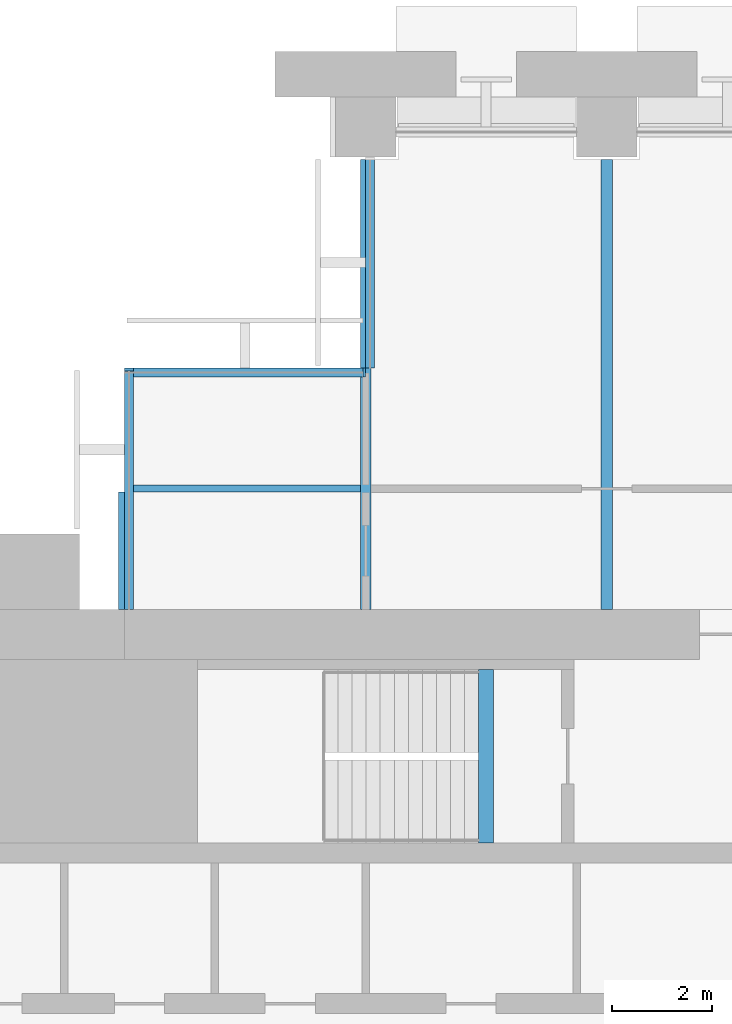
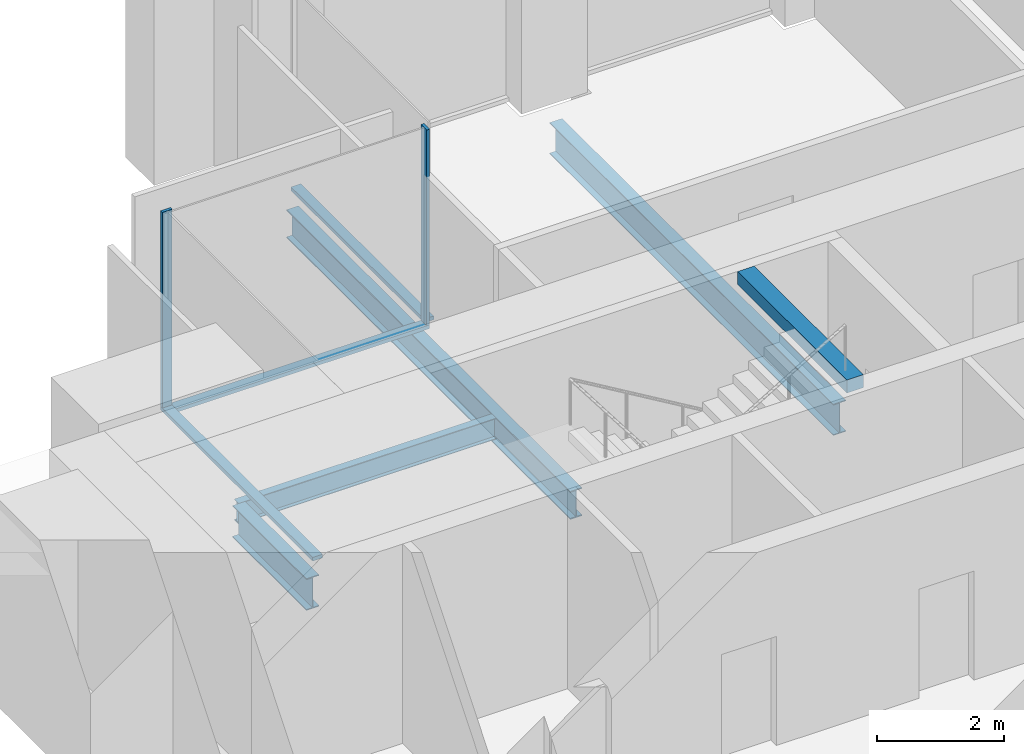
# One storey, part 5 of 15: 5 beams, 5 members, 3 elements without a shape of their own.
"""IFC4 building model written with IfcOpenShell, lengths in metres."""

from ifc_helpers import new_model, si_unit, direction, frame, origin, origin_2d, place, context, subcontext, project, spatial, rectangle, i_section, extrude, material, material_profile, profile_set, type_object, element, aggregate, save


model = new_model("IFC4")

# Units and contexts
model_context = context("Model", 3, precision=1e-05, world=origin(), true_north=direction((0.0, 1.0)))
body_context = subcontext(model_context, "Body", "Model", "MODEL_VIEW")
ifc_project = project(units=[si_unit("LENGTHUNIT", "METRE"), si_unit("AREAUNIT", "SQUARE_METRE"), si_unit("VOLUMEUNIT", "CUBIC_METRE"), si_unit("PLANEANGLEUNIT", "RADIAN"), si_unit("MASSUNIT", "GRAM", prefix="KILO")], contexts=[model_context])

# Site, building, storey
site_placement = place(None, origin())
site = spatial("IfcSite", under=ifc_project, at=site_placement, CompositionType="ELEMENT")
building_placement = place(site_placement, origin())
building = spatial("IfcBuilding", under=site, at=building_placement, Name="Baori Bourse Tower", CompositionType="ELEMENT")
storey_placement = place(building_placement, frame((0.0, 0.0, 104.10009765625)))
storey = spatial("IfcBuildingStorey", under=building, at=storey_placement, Name="L21", CompositionType="ELEMENT", Elevation=104.10009765625)

# Curtain wall, member
ifc_material_1 = material(Name="Pale anodised aluminium", Category="aluminium")
curtain_wall_type = type_object("IfcCurtainWallType", Name="CW2 Curtain wall", PredefinedType="NOTDEFINED", material=ifc_material_1)
curtain_wall_1_placement = place(storey_placement, origin())
curtain_wall_1 = element("IfcCurtainWall", 1, at=curtain_wall_1_placement, inside=storey, type_object=curtain_wall_type, Name="Curtain wall CW2 L21 8", PredefinedType="NOTDEFINED")
ifc_material_2 = material(Name="Pale anodised aluminium", Category="aluminium")
ifc_material_profile_1 = material_profile(ifc_material_2, rectangle(XDim=0.179931640625, YDim=0.054931640625, at=origin_2d()), Name="Mullion 55x180")
ifc_profile_set_1 = profile_set([ifc_material_profile_1], Name="Pale anodised aluminium")
member_type_1 = type_object("IfcMemberType", Name="CW2 Curtain wall mullion", PredefinedType="MULLION", material=ifc_profile_set_1)
member_1_placement = place(storey_placement, frame((9.572509765625, 43.110107421875, 0.06982421875), z_axis=(0.0, 0.0, 1.0), x_axis=(0.0, -1.0, 0.0)))
member_1 = element("IfcMember", 2, at=member_1_placement, type_object=member_type_1, Name="Curtain wall CW2 mullion", PredefinedType="MULLION", context=body_context, shape_type="SweptSolid", body=[
    extrude(rectangle(XDim=0.179931640625, YDim=0.054931640625, at=origin_2d()), origin(), (0.0, 0.0, 1.0), 3.77001953125),
])

curtain_wall_2_placement = place(storey_placement, origin())
curtain_wall_2 = element("IfcCurtainWall", 3, at=curtain_wall_2_placement, inside=storey, type_object=curtain_wall_type, Name="Curtain wall CW2 L21 9", PredefinedType="NOTDEFINED")
member_2_placement = place(storey_placement, frame((4.889892578125, 43.172607421875, 0.06982421875), z_axis=(0.0, 0.0, 1.0), x_axis=(1.0, 0.0, 0.0)))
member_2 = element("IfcMember", 4, at=member_2_placement, type_object=member_type_1, Name="Curtain wall CW2 mullion", PredefinedType="MULLION", context=body_context, shape_type="SweptSolid", body=[
    extrude(rectangle(XDim=0.179931640625, YDim=0.054931640625, at=origin_2d()), origin(), (0.0, 0.0, 1.0), 3.77001953125),
])

curtain_wall_3_placement = place(storey_placement, origin())
curtain_wall_3 = element("IfcCurtainWall", 5, at=curtain_wall_3_placement, inside=storey, type_object=curtain_wall_type, Name="Curtain wall CW2 L21 7", PredefinedType="NOTDEFINED")
ifc_material_3 = material(Name="Pale anodised aluminium", Category="aluminium")
ifc_material_profile_2 = material_profile(ifc_material_3, rectangle(XDim=0.179931640625, YDim=0.070068359375, at=origin_2d()), Name="Transom 70x180")
ifc_profile_set_2 = profile_set([ifc_material_profile_2], Name="Pale anodised aluminium")
member_type_2 = type_object("IfcMemberType", Name="CW2 Curtain wall transom", PredefinedType="USERDEFINED", material=ifc_profile_set_2)
member_3_placement = place(storey_placement, frame((9.68994140625, 47.39990234375, 0.034912109375), z_axis=(0.0, -1.0, 0.0), x_axis=(1.0, 0.0, 0.0)))
member_3 = element("IfcMember", 6, at=member_3_placement, type_object=member_type_2, Name="Curtain wall CW2 sill rail", ObjectType="TRANSOM", PredefinedType="USERDEFINED", context=body_context, shape_type="SweptSolid", body=[
    extrude(rectangle(XDim=0.179931640625, YDim=0.070068359375, at=origin_2d()), origin(), (0.0, 0.0, 1.0), 4.199951171875),
])
aggregate(curtain_wall_3, [member_3])

# Member
member_4_placement = place(storey_placement, frame((9.60009765625, 43.110107421875, 0.034912109375), z_axis=(-1.0, 0.0, 0.0), x_axis=(0.0, -1.0, 0.0)))
member_4 = element("IfcMember", 7, at=member_4_placement, type_object=member_type_2, Name="Curtain wall CW2 sill rail", ObjectType="TRANSOM", PredefinedType="USERDEFINED", context=body_context, shape_type="SweptSolid", body=[
    extrude(rectangle(XDim=0.179931640625, YDim=0.070068359375, at=origin_2d()), origin(), (0.0, 0.0, 1.0), 4.800048828125),
])

aggregate(curtain_wall_1, [member_4, member_1])

member_5_placement = place(storey_placement, frame((4.889892578125, 43.199951171875, 0.034912109375), z_axis=(0.0, -1.0, 0.0), x_axis=(1.0, 0.0, 0.0)))
member_5 = element("IfcMember", 8, at=member_5_placement, type_object=member_type_2, Name="Curtain wall CW2 sill rail", ObjectType="TRANSOM", PredefinedType="USERDEFINED", context=body_context, shape_type="SweptSolid", body=[
    extrude(rectangle(XDim=0.179931640625, YDim=0.070068359375, at=origin_2d()), origin(), (0.0, 0.0, 1.0), 4.800048828125),
])

aggregate(curtain_wall_2, [member_5, member_2])

# Beams
ifc_material_4 = material(Name="Steel A992 Gr 50", Category="steel")
ifc_material_profile_3 = material_profile(ifc_material_4, i_section(OverallWidth=0.22900390625, OverallDepth=0.612060546875, WebThickness=0.011962890625, FlangeThickness=0.01953125, at=origin_2d()), Name="W24x84")
ifc_profile_set_3 = profile_set([ifc_material_profile_3], Name="Steel A992 Gr 50")
beam_type_1 = type_object("IfcBeamType", Name="Core bracket W24x84", PredefinedType="BEAM", material=ifc_profile_set_3)
beam_1_placement = place(storey_placement, frame((4.800048828125, 38.39990234375, -0.606201171875), z_axis=(0.0, 1.0, 0.0), x_axis=(-1.0, 0.0, 0.0)))
element("IfcBeam", 9, at=beam_1_placement, inside=storey, type_object=beam_type_1, Name="Core bracket L21", PredefinedType="BEAM", context=body_context, shape_type="SweptSolid", body=[
    extrude(i_section(OverallWidth=0.22900390625, OverallDepth=0.612060546875, WebThickness=0.011962890625, FlangeThickness=0.01953125, at=origin_2d()), origin(), (0.0, 0.0, 1.0), 2.329833984375),
])
ifc_material_5 = material(Name="Steel A992 Gr 50", Category="steel")
ifc_material_profile_4 = material_profile(ifc_material_5, i_section(OverallWidth=0.21240234375, OverallDepth=0.54345703125, WebThickness=0.01318359375, FlangeThickness=0.021240234375, at=origin_2d()), Name="W21x83")
ifc_profile_set_4 = profile_set([ifc_material_profile_4], Name="Steel A992 Gr 50")
beam_type_2 = type_object("IfcBeamType", Name="Floor beam W21x83", PredefinedType="BEAM", material=ifc_profile_set_4)
beam_2_placement = place(storey_placement, frame((9.60009765625, 38.39990234375, -0.57177734375), z_axis=(0.0, 1.0, 0.0), x_axis=(-1.0, 0.0, 0.0)))
element("IfcBeam", 10, at=beam_2_placement, inside=storey, type_object=beam_type_2, Name="Floor beam L21", PredefinedType="BEAM", context=body_context, shape_type="SweptSolid", body=[
    extrude(i_section(OverallWidth=0.21240234375, OverallDepth=0.54345703125, WebThickness=0.01318359375, FlangeThickness=0.021240234375, at=origin_2d()), origin(), (0.0, 0.0, 1.0), 8.9501953125),
])
ifc_material_6 = material(Name="Steel A992 Gr 50", Category="steel")
ifc_material_profile_5 = material_profile(ifc_material_6, i_section(OverallWidth=0.227783203125, OverallDepth=0.60205078125, WebThickness=0.010498046875, FlangeThickness=0.014892578125, at=origin_2d()), Name="W24x68")
ifc_profile_set_5 = profile_set([ifc_material_profile_5], Name="Steel A992 Gr 50")
beam_type_3 = type_object("IfcBeamType", Name="Floor beam W24x68", PredefinedType="BEAM", material=ifc_profile_set_5)
beam_3_placement = place(storey_placement, frame((14.39990234375, 38.39990234375, -0.60107421875), z_axis=(0.0, 1.0, 0.0), x_axis=(-1.0, 0.0, 0.0)))
element("IfcBeam", 11, at=beam_3_placement, inside=storey, type_object=beam_type_3, Name="Floor beam L21", PredefinedType="BEAM", context=body_context, shape_type="SweptSolid", body=[
    extrude(i_section(OverallWidth=0.227783203125, OverallDepth=0.60205078125, WebThickness=0.010498046875, FlangeThickness=0.014892578125, at=origin_2d()), origin(), (0.0, 0.0, 1.0), 8.9501953125),
])
ifc_material_7 = material(Name="Concrete f'c 50 MPa", Category="concrete")
ifc_material_profile_6 = material_profile(ifc_material_7, rectangle(XDim=0.300048828125, YDim=0.25, at=origin_2d()), Name="RC 300x250")
ifc_profile_set_6 = profile_set([ifc_material_profile_6], Name="Concrete f'c 50 MPa")
beam_type_4 = type_object("IfcBeamType", Name="Stair nib beam RC 300x250", PredefinedType="BEAM", material=ifc_profile_set_6)
beam_4_placement = place(storey_placement, frame((12.0, 33.75, 3.71484375), z_axis=(0.0, 1.0, 0.0), x_axis=(-1.0, 0.0, 0.0)))
element("IfcBeam", 12, at=beam_4_placement, inside=storey, type_object=beam_type_4, Name="Stair WB nib beam L22", PredefinedType="BEAM", context=body_context, shape_type="SweptSolid", body=[
    extrude(rectangle(XDim=0.300048828125, YDim=0.25, at=origin_2d()), origin(), (0.0, 0.0, 1.0), 3.449951171875),
])
ifc_material_8 = material(Name="Steel A992 Gr 50", Category="steel")
ifc_material_profile_7 = material_profile(ifc_material_8, i_section(OverallWidth=0.140380859375, OverallDepth=0.40380859375, WebThickness=0.007080078125, FlangeThickness=0.01123046875, at=origin_2d()), Name="W16x31")
ifc_profile_set_7 = profile_set([ifc_material_profile_7], Name="Steel A992 Gr 50")
beam_type_5 = type_object("IfcBeamType", Name="Trimmer beam W16x31", PredefinedType="BEAM", material=ifc_profile_set_7)
beam_5_placement = place(storey_placement, frame((4.800048828125, 40.800048828125, -0.501953125), z_axis=(1.0, 0.0, 0.0), x_axis=(0.0, 1.0, 0.0)))
element("IfcBeam", 13, at=beam_5_placement, inside=storey, type_object=beam_type_5, Name="Trimmer beam L21", PredefinedType="BEAM", context=body_context, shape_type="SweptSolid", body=[
    extrude(i_section(OverallWidth=0.140380859375, OverallDepth=0.40380859375, WebThickness=0.007080078125, FlangeThickness=0.01123046875, at=origin_2d()), origin(), (0.0, 0.0, 1.0), 4.69384765625),
])

save(model, "model.ifc")
